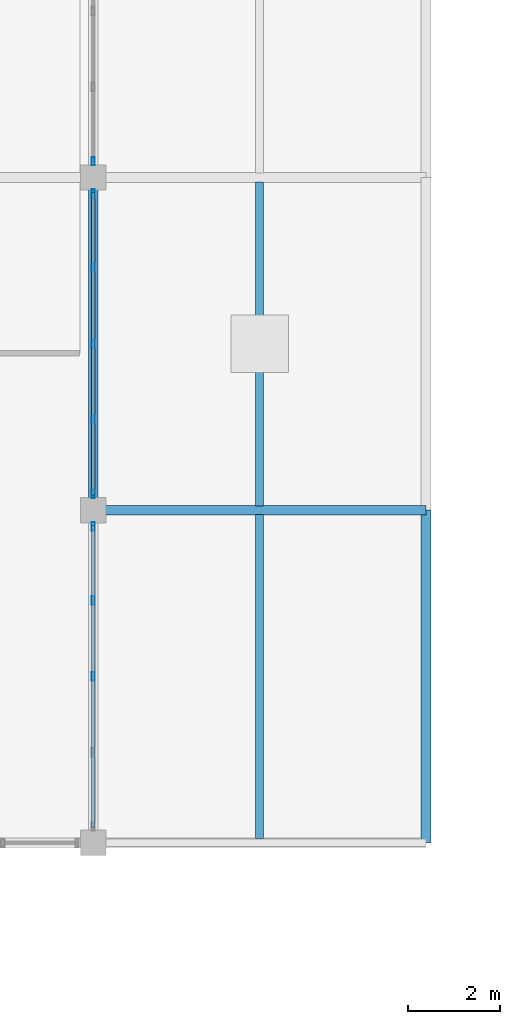
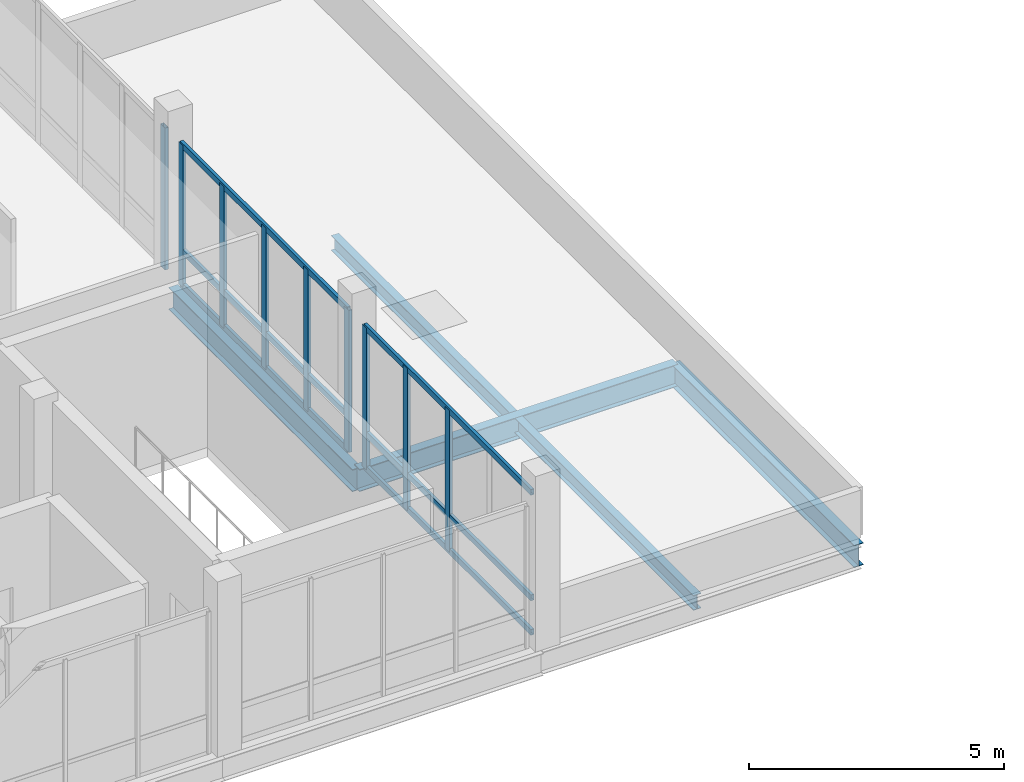
# One storey, part 11 of 28: 15 members, 5 beams, 3 elements without a shape of their own.
"""IFC4 building model written with IfcOpenShell, lengths in metres."""

from ifc_helpers import new_model, si_unit, direction, frame, origin, origin_2d, place, context, subcontext, project, spatial, hollow_rectangle, i_section, extrude, material, material_profile, profile_set, type_object, element, aggregate, save


model = new_model("IFC4")

# Units and contexts
model_context = context("Model", 3, precision=1e-05, world=origin(), true_north=direction((0.0, 1.0)))
body_context = subcontext(model_context, "Body", "Model", "MODEL_VIEW")
ifc_project = project(units=[si_unit("LENGTHUNIT", "METRE"), si_unit("AREAUNIT", "SQUARE_METRE"), si_unit("VOLUMEUNIT", "CUBIC_METRE"), si_unit("PLANEANGLEUNIT", "RADIAN"), si_unit("MASSUNIT", "GRAM", prefix="KILO")], contexts=[model_context])

# Site, building, storey
site_placement = place(None, origin())
site = spatial("IfcSite", under=ifc_project, at=site_placement, CompositionType="ELEMENT")
building_placement = place(site_placement, origin())
building = spatial("IfcBuilding", under=site, at=building_placement, Name="Yarey Park Central Fire Station", CompositionType="ELEMENT")
storey_placement = place(building_placement, frame((0.0, 0.0, 22.199951171875)))
storey = spatial("IfcBuildingStorey", under=building, at=storey_placement, Name="L06", CompositionType="ELEMENT", Elevation=22.199951171875)

# Curtain wall, members
ifc_material_1 = material(Name="Anodized Aluminium Frame", Category="aluminium")
curtain_wall_type = type_object("IfcCurtainWallType", Name="ENV_CW_HQ_L06", PredefinedType="NOTDEFINED", material=ifc_material_1)
curtain_wall_1_placement = place(storey_placement, origin())
curtain_wall_1 = element("IfcCurtainWall", 1, at=curtain_wall_1_placement, inside=storey, type_object=curtain_wall_type, Name="CW_L06_V4_E_93", PredefinedType="NOTDEFINED")
ifc_material_profile_1 = material_profile(ifc_material_1, hollow_rectangle(XDim=0.070068359375, YDim=0.179931640625, WallThickness=0.00390625, at=origin_2d()), Name="ALU 180x70x4")
ifc_profile_set_1 = profile_set([ifc_material_profile_1], Name="Anodized Aluminium Frame")
member_type_1 = type_object("IfcMemberType", Name="ENV_CW_MULLION", PredefinedType="MULLION", material=ifc_profile_set_1)
member_1_placement = place(storey_placement, frame((144.0, 97.199951171875, 0.0), z_axis=(0.0, 0.0, 1.0), x_axis=(1.0, 0.0, 0.0)))
member_1 = element("IfcMember", 2, at=member_1_placement, type_object=member_type_1, Name="CW_L06_V4_E_93_MUL3", PredefinedType="MULLION", context=body_context, shape_type="SweptSolid", body=[
    extrude(hollow_rectangle(XDim=0.070068359375, YDim=0.179931640625, WallThickness=0.00390625, at=origin_2d()), origin(), (0.0, 0.0, 1.0), 3.400146484375),
])
member_2_placement = place(storey_placement, frame((144.0, 98.844970703125, 0.0), z_axis=(0.0, 0.0, 1.0), x_axis=(1.0, 0.0, 0.0)))
member_2 = element("IfcMember", 3, at=member_2_placement, type_object=member_type_1, Name="CW_L06_V4_E_93_MUL4", PredefinedType="MULLION", context=body_context, shape_type="SweptSolid", body=[
    extrude(hollow_rectangle(XDim=0.070068359375, YDim=0.179931640625, WallThickness=0.00390625, at=origin_2d()), origin(), (0.0, 0.0, 1.0), 3.400146484375),
])
member_3_placement = place(storey_placement, frame((144.0, 100.449951171875, 0.0), z_axis=(0.0, 0.0, 1.0), x_axis=(1.0, 0.0, 0.0)))
member_3 = element("IfcMember", 4, at=member_3_placement, type_object=member_type_1, Name="CW_L06_V4_E_93_MUL5", PredefinedType="MULLION", context=body_context, shape_type="SweptSolid", body=[
    extrude(hollow_rectangle(XDim=0.070068359375, YDim=0.179931640625, WallThickness=0.00390625, at=origin_2d()), origin(), (0.0, 0.0, 1.0), 3.400146484375),
])

curtain_wall_2_placement = place(storey_placement, origin())
curtain_wall_2 = element("IfcCurtainWall", 5, at=curtain_wall_2_placement, inside=storey, type_object=curtain_wall_type, Name="CW_L06_V4_E_100", PredefinedType="NOTDEFINED")
member_4_placement = place(storey_placement, frame((144.0, 101.14990234375, 0.0), z_axis=(0.0, 0.0, 1.0), x_axis=(1.0, 0.0, 0.0)))
member_4 = element("IfcMember", 6, at=member_4_placement, type_object=member_type_1, Name="CW_L06_V4_E_100_MUL1", PredefinedType="MULLION", context=body_context, shape_type="SweptSolid", body=[
    extrude(hollow_rectangle(XDim=0.070068359375, YDim=0.179931640625, WallThickness=0.00390625, at=origin_2d()), origin(), (0.0, 0.0, 1.0), 3.400146484375),
])
member_5_placement = place(storey_placement, frame((144.0, 102.7548828125, 0.0), z_axis=(0.0, 0.0, 1.0), x_axis=(1.0, 0.0, 0.0)))
member_5 = element("IfcMember", 7, at=member_5_placement, type_object=member_type_1, Name="CW_L06_V4_E_100_MUL2", PredefinedType="MULLION", context=body_context, shape_type="SweptSolid", body=[
    extrude(hollow_rectangle(XDim=0.070068359375, YDim=0.179931640625, WallThickness=0.00390625, at=origin_2d()), origin(), (0.0, 0.0, 1.0), 3.400146484375),
])
member_6_placement = place(storey_placement, frame((144.0, 104.39990234375, 0.0), z_axis=(0.0, 0.0, 1.0), x_axis=(1.0, 0.0, 0.0)))
member_6 = element("IfcMember", 8, at=member_6_placement, type_object=member_type_1, Name="CW_L06_V4_E_100_MUL3", PredefinedType="MULLION", context=body_context, shape_type="SweptSolid", body=[
    extrude(hollow_rectangle(XDim=0.070068359375, YDim=0.179931640625, WallThickness=0.00390625, at=origin_2d()), origin(), (0.0, 0.0, 1.0), 3.400146484375),
])
member_7_placement = place(storey_placement, frame((144.0, 106.044921875, 0.0), z_axis=(0.0, 0.0, 1.0), x_axis=(1.0, 0.0, 0.0)))
member_7 = element("IfcMember", 9, at=member_7_placement, type_object=member_type_1, Name="CW_L06_V4_E_100_MUL4", PredefinedType="MULLION", context=body_context, shape_type="SweptSolid", body=[
    extrude(hollow_rectangle(XDim=0.070068359375, YDim=0.179931640625, WallThickness=0.00390625, at=origin_2d()), origin(), (0.0, 0.0, 1.0), 3.400146484375),
])
member_8_placement = place(storey_placement, frame((144.0, 107.64990234375, 0.0), z_axis=(0.0, 0.0, 1.0), x_axis=(1.0, 0.0, 0.0)))
member_8 = element("IfcMember", 10, at=member_8_placement, type_object=member_type_1, Name="CW_L06_V4_E_100_MUL5", PredefinedType="MULLION", context=body_context, shape_type="SweptSolid", body=[
    extrude(hollow_rectangle(XDim=0.070068359375, YDim=0.179931640625, WallThickness=0.00390625, at=origin_2d()), origin(), (0.0, 0.0, 1.0), 3.400146484375),
])

# Curtain wall, member
curtain_wall_3_placement = place(storey_placement, origin())
curtain_wall_3 = element("IfcCurtainWall", 11, at=curtain_wall_3_placement, inside=storey, type_object=curtain_wall_type, Name="CW_L06_V4_E_108", PredefinedType="NOTDEFINED")
member_9_placement = place(storey_placement, frame((144.0, 108.35009765625, 0.0), z_axis=(0.0, 0.0, 1.0), x_axis=(1.0, 0.0, 0.0)))
member_9 = element("IfcMember", 12, at=member_9_placement, type_object=member_type_1, Name="CW_L06_V4_E_108_MUL1", PredefinedType="MULLION", context=body_context, shape_type="SweptSolid", body=[
    extrude(hollow_rectangle(XDim=0.070068359375, YDim=0.179931640625, WallThickness=0.00390625, at=origin_2d()), origin(), (0.0, 0.0, 1.0), 3.400146484375),
])
aggregate(curtain_wall_3, [member_9])

# Member
ifc_material_profile_2 = material_profile(ifc_material_1, hollow_rectangle(XDim=0.070068359375, YDim=0.139892578125, WallThickness=0.00390625, at=origin_2d()), Name="ALU 140x70x4")
ifc_profile_set_2 = profile_set([ifc_material_profile_2], Name="Anodized Aluminium Frame")
member_type_2 = type_object("IfcMemberType", Name="ENV_CW_TRANSOM", PredefinedType="USERDEFINED", material=ifc_profile_set_2)
member_10_placement = place(storey_placement, frame((144.0, 93.925048828125, 0.025146484375), z_axis=(0.0, 1.0, 0.0), x_axis=(-1.0, 0.0, 0.0)))
member_10 = element("IfcMember", 13, at=member_10_placement, type_object=member_type_2, Name="CW_L06_V4_E_93_TRN1", ObjectType="TRANSOM", PredefinedType="USERDEFINED", context=body_context, shape_type="SweptSolid", body=[
    extrude(hollow_rectangle(XDim=0.070068359375, YDim=0.139892578125, WallThickness=0.00390625, at=origin_2d()), origin(), (0.0, 0.0, 1.0), 6.550048828125),
])

member_11_placement = place(storey_placement, frame((144.0, 93.925048828125, 0.85009765625), z_axis=(0.0, 1.0, 0.0), x_axis=(-1.0, 0.0, 0.0)))
member_11 = element("IfcMember", 14, at=member_11_placement, type_object=member_type_2, Name="CW_L06_V4_E_93_TRN2", ObjectType="TRANSOM", PredefinedType="USERDEFINED", context=body_context, shape_type="SweptSolid", body=[
    extrude(hollow_rectangle(XDim=0.070068359375, YDim=0.139892578125, WallThickness=0.00390625, at=origin_2d()), origin(), (0.0, 0.0, 1.0), 6.550048828125),
])

member_12_placement = place(storey_placement, frame((144.0, 93.925048828125, 3.375), z_axis=(0.0, 1.0, 0.0), x_axis=(-1.0, 0.0, 0.0)))
member_12 = element("IfcMember", 15, at=member_12_placement, type_object=member_type_2, Name="CW_L06_V4_E_93_TRN3", ObjectType="TRANSOM", PredefinedType="USERDEFINED", context=body_context, shape_type="SweptSolid", body=[
    extrude(hollow_rectangle(XDim=0.070068359375, YDim=0.139892578125, WallThickness=0.00390625, at=origin_2d()), origin(), (0.0, 0.0, 1.0), 6.550048828125),
])

aggregate(curtain_wall_1, [member_1, member_2, member_3, member_10, member_11, member_12])

member_13_placement = place(storey_placement, frame((144.0, 101.125, 0.025146484375), z_axis=(0.0, 1.0, 0.0), x_axis=(-1.0, 0.0, 0.0)))
member_13 = element("IfcMember", 16, at=member_13_placement, type_object=member_type_2, Name="CW_L06_V4_E_100_TRN1", ObjectType="TRANSOM", PredefinedType="USERDEFINED", context=body_context, shape_type="SweptSolid", body=[
    extrude(hollow_rectangle(XDim=0.070068359375, YDim=0.139892578125, WallThickness=0.00390625, at=origin_2d()), origin(), (0.0, 0.0, 1.0), 6.550048828125),
])

member_14_placement = place(storey_placement, frame((144.0, 101.125, 0.85009765625), z_axis=(0.0, 1.0, 0.0), x_axis=(-1.0, 0.0, 0.0)))
member_14 = element("IfcMember", 17, at=member_14_placement, type_object=member_type_2, Name="CW_L06_V4_E_100_TRN2", ObjectType="TRANSOM", PredefinedType="USERDEFINED", context=body_context, shape_type="SweptSolid", body=[
    extrude(hollow_rectangle(XDim=0.070068359375, YDim=0.139892578125, WallThickness=0.00390625, at=origin_2d()), origin(), (0.0, 0.0, 1.0), 6.550048828125),
])

member_15_placement = place(storey_placement, frame((144.0, 101.125, 3.375), z_axis=(0.0, 1.0, 0.0), x_axis=(-1.0, 0.0, 0.0)))
member_15 = element("IfcMember", 18, at=member_15_placement, type_object=member_type_2, Name="CW_L06_V4_E_100_TRN3", ObjectType="TRANSOM", PredefinedType="USERDEFINED", context=body_context, shape_type="SweptSolid", body=[
    extrude(hollow_rectangle(XDim=0.070068359375, YDim=0.139892578125, WallThickness=0.00390625, at=origin_2d()), origin(), (0.0, 0.0, 1.0), 6.550048828125),
])

aggregate(curtain_wall_2, [member_4, member_5, member_6, member_7, member_8, member_13, member_14, member_15])

# Beams
ifc_material_2 = material(Name="Steel ASTM A992 Gr. 50", Category="steel")
ifc_material_profile_3 = material_profile(ifc_material_2, i_section(OverallWidth=0.208984375, OverallDepth=0.532958984375, WebThickness=0.01025390625, FlangeThickness=0.015625, at=origin_2d()), Name="W530x92")
ifc_profile_set_3 = profile_set([ifc_material_profile_3], Name="Steel ASTM A992 Gr. 50")
beam_type_1 = type_object("IfcBeamType", Name="STR_BM_W530", PredefinedType="BEAM", material=ifc_profile_set_3)
for number, where, z_axis, x_axis, name in (
    (19, (144.0, 100.800048828125, -0.46142578125), (1.0, 0.0, 0.0), (0.0, 1.0, 0.0), "BMX L06 Y1008 X1440"),
    (20, (144.0, 100.800048828125, -0.491455078125), (0.0, 1.0, 0.0), (-1.0, 0.0, 0.0), "BMY L06 X1440 Y1008"),
    (21, (151.199951171875, 93.60009765625, -0.46142578125), (0.0, 1.0, 0.0), (-1.0, 0.0, 0.0), "BMY L06 X1512 Y936"),
):
    element("IfcBeam", number, at=place(storey_placement, frame(where, z_axis=z_axis, x_axis=x_axis)), inside=storey, type_object=beam_type_1, Name=name, PredefinedType="BEAM", context=body_context, shape_type="SweptSolid", body=[
        extrude(i_section(OverallWidth=0.208984375, OverallDepth=0.532958984375, WebThickness=0.01025390625, FlangeThickness=0.015625, at=origin_2d()), origin(), (0.0, 0.0, 1.0), 7.199951171875),
    ])
ifc_material_profile_4 = material_profile(ifc_material_2, i_section(OverallWidth=0.172119140625, OverallDepth=0.35791015625, WebThickness=0.0078125, FlangeThickness=0.01318359375, at=origin_2d()), Name="W360x57")
ifc_profile_set_4 = profile_set([ifc_material_profile_4], Name="Steel ASTM A992 Gr. 50")
beam_type_2 = type_object("IfcBeamType", Name="STR_JST_W360", PredefinedType="JOIST", material=ifc_profile_set_4)
for number, where, z_axis, x_axis, name in (
    (22, (147.60009765625, 93.695068359375, -0.3740234375), (0.0, 1.0, 0.0), (-1.0, 0.0, 0.0), "JST L06 X1476 Y936"),
    (23, (147.60009765625, 100.89501953125, -0.3740234375), (0.0, 1.0, 0.0), (-1.0, 0.0, 0.0), "JST L06 X1476 Y1008"),
):
    element("IfcBeam", number, at=place(storey_placement, frame(where, z_axis=z_axis, x_axis=x_axis)), inside=storey, type_object=beam_type_2, Name=name, PredefinedType="JOIST", context=body_context, shape_type="SweptSolid", body=[
        extrude(i_section(OverallWidth=0.172119140625, OverallDepth=0.35791015625, WebThickness=0.0078125, FlangeThickness=0.01318359375, at=origin_2d()), origin(), (0.0, 0.0, 1.0), 7.010009765625),
    ])

save(model, "model.ifc")
